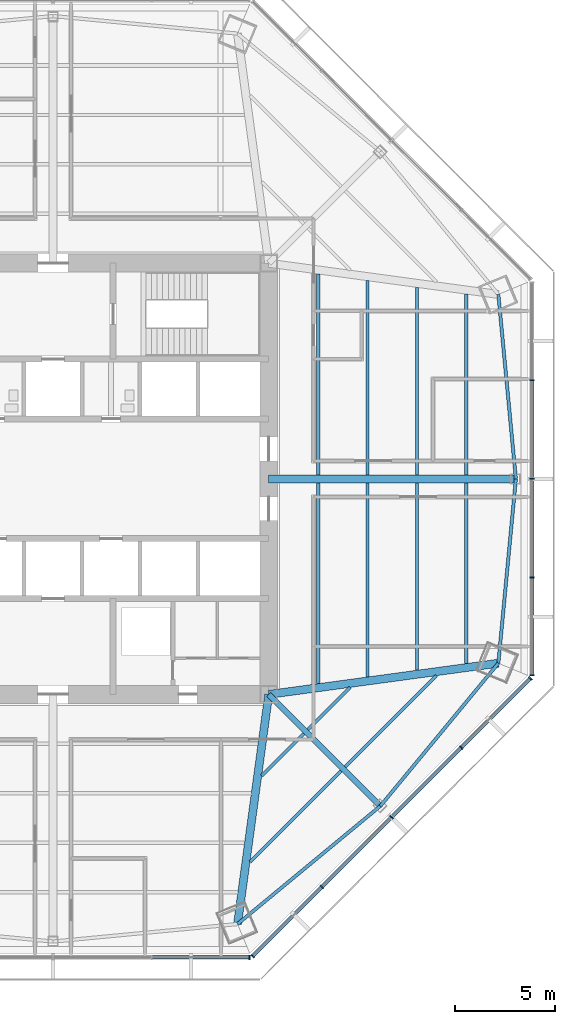
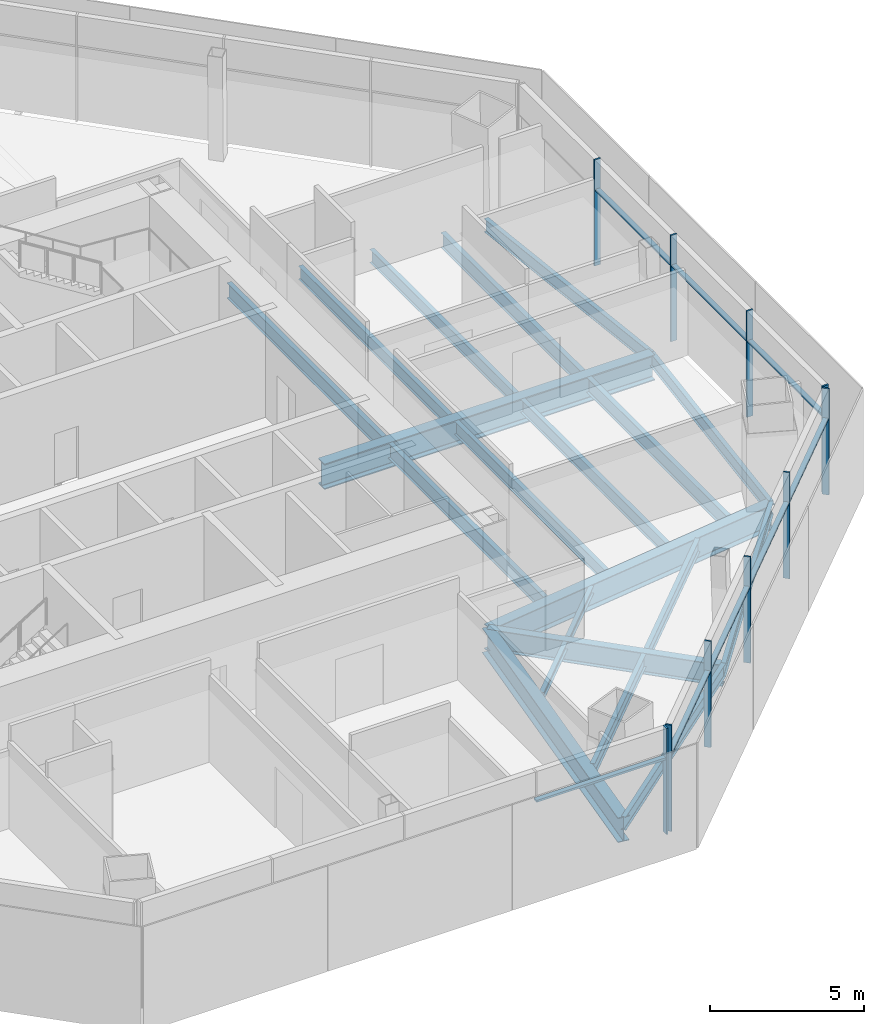
# One storey, part 4 of 14: 20 beams, 18 members, 3 elements without a shape of their own.
"""IFC4 building model written with IfcOpenShell, lengths in metres."""

from ifc_helpers import new_model, si_unit, direction, frame, origin, origin_2d, place, context, subcontext, project, spatial, rectangle, i_section, extrude, source, transform, mapped, material, material_profile, profile_set, type_object, type_shapes, element, aggregate, save


model = new_model("IFC4")

# Units and contexts
model_context = context("Model", 3, precision=1e-05, world=origin(), true_north=direction((0.0, 1.0)))
body_context = subcontext(model_context, "Body", "Model", "MODEL_VIEW")
ifc_project = project(units=[si_unit("LENGTHUNIT", "METRE"), si_unit("AREAUNIT", "SQUARE_METRE"), si_unit("VOLUMEUNIT", "CUBIC_METRE"), si_unit("PLANEANGLEUNIT", "RADIAN"), si_unit("MASSUNIT", "GRAM", prefix="KILO")], contexts=[model_context])

# Site, building, storey
site_placement = place(None, origin())
site = spatial("IfcSite", under=ifc_project, at=site_placement, CompositionType="ELEMENT")
building_placement = place(site_placement, origin())
building = spatial("IfcBuilding", under=site, at=building_placement, Name="Mashrafa Tower", CompositionType="ELEMENT")
storey_placement = place(building_placement, frame((0.0, 0.0, 142.800048828125)))
storey = spatial("IfcBuildingStorey", under=building, at=storey_placement, Name="L32", CompositionType="ELEMENT", Elevation=142.800048828125)

# Beams
ifc_material_1 = material(Name="Steel ASTM A992", Category="steel")
ifc_material_profile_1 = material_profile(ifc_material_1, i_section(OverallWidth=0.164794921875, OverallDepth=0.309814453125, WebThickness=0.005859375, FlangeThickness=0.009765625, FilletRadius=0.007568359375, at=origin_2d()), Name="W12X26")
ifc_profile_set_1 = profile_set([ifc_material_profile_1], Name="Steel ASTM A992")
beam_type_1 = type_object("IfcBeamType", Name="Beam W12X26", PredefinedType="BEAM", material=ifc_profile_set_1)
for number, where, z_axis, x_axis, name in (
    (1, (12.560302734375, -12.766845703125, -0.320068359375), (-0.707106781187, -0.707106781187, 0.0), (0.707106781187, -0.707106781187, 0.0), "Floor beam L32 035"),
    (2, (14.878662109375, -10.448486328125, -0.320068359375), (-0.707106781187, -0.707106781187, 0.0), (0.707106781187, -0.707106781187, 0.0), "Floor beam L32 041"),
):
    element("IfcBeam", number, at=place(storey_placement, frame(where, z_axis=z_axis, x_axis=x_axis)), inside=storey, type_object=beam_type_1, Name=name, PredefinedType="BEAM", context=body_context, shape_type="SweptSolid", body=[
        extrude(i_section(OverallWidth=0.164794921875, OverallDepth=0.309814453125, WebThickness=0.005859375, FlangeThickness=0.009765625, FilletRadius=0.007568359375, at=origin_2d()), origin(), (0.0, 0.0, 1.0), 2.986572265625),
    ])
ifc_material_2 = material(Name="Steel ASTM A992", Category="steel")
ifc_material_profile_2 = material_profile(ifc_material_2, i_section(OverallWidth=0.1650390625, OverallDepth=0.52587890625, WebThickness=0.0087890625, FlangeThickness=0.011474609375, FilletRadius=0.0126953125, at=origin_2d()), Name="W21X44")
ifc_profile_set_2 = profile_set([ifc_material_profile_2], Name="Steel ASTM A992")
beam_type_2 = type_object("IfcBeamType", Name="Beam W21X44", PredefinedType="BEAM", material=ifc_profile_set_2)
beam_1_placement = place(storey_placement, frame((14.423828125, -14.63037109375, -0.427978515625), z_axis=(-0.707106781187, -0.707106781187, 0.0), x_axis=(0.707106781187, -0.707106781187, 0.0)))
element("IfcBeam", 3, at=beam_1_placement, inside=storey, type_object=beam_type_2, Name="Floor beam L32 039", PredefinedType="BEAM", context=body_context, shape_type="SweptSolid", body=[
    extrude(i_section(OverallWidth=0.1650390625, OverallDepth=0.52587890625, WebThickness=0.0087890625, FlangeThickness=0.011474609375, FilletRadius=0.0126953125, at=origin_2d()), origin(), (0.0, 0.0, 1.0), 6.45068359375),
])
for number, where, z_axis, x_axis, name in (
    (4, (15.751953125, -0.20068359375, -0.427978515625), (0.0, -1.0, 0.0), (1.0, 0.0, 0.0), "Floor beam L32 042"),
    (5, (15.751953125, 9.9248046875, -0.427978515625), (0.0, -1.0, 0.0), (1.0, 0.0, 0.0), "Floor beam L32 043"),
):
    element("IfcBeam", number, at=place(storey_placement, frame(where, z_axis=z_axis, x_axis=x_axis)), inside=storey, type_object=beam_type_2, Name=name, PredefinedType="BEAM", context=body_context, shape_type="SweptSolid", body=[
        extrude(i_section(OverallWidth=0.1650390625, OverallDepth=0.52587890625, WebThickness=0.0087890625, FlangeThickness=0.011474609375, FilletRadius=0.0126953125, at=origin_2d()), origin(), (0.0, 0.0, 1.0), 9.72412109375),
    ])
for number, where, z_axis, x_axis, name in (
    (6, (18.227783203125, -0.20068359375, -0.427978515625), (0.0, -1.0, 0.0), (1.0, 0.0, 0.0), "Floor beam L32 044"),
    (7, (18.227783203125, 9.58837890625, -0.427978515625), (0.0, -1.0, 0.0), (1.0, 0.0, 0.0), "Floor beam L32 045"),
):
    element("IfcBeam", number, at=place(storey_placement, frame(where, z_axis=z_axis, x_axis=x_axis)), inside=storey, type_object=beam_type_2, Name=name, PredefinedType="BEAM", context=body_context, shape_type="SweptSolid", body=[
        extrude(i_section(OverallWidth=0.1650390625, OverallDepth=0.52587890625, WebThickness=0.0087890625, FlangeThickness=0.011474609375, FilletRadius=0.0126953125, at=origin_2d()), origin(), (0.0, 0.0, 1.0), 9.3876953125),
    ])
beam_2_placement = place(storey_placement, frame((19.191650390625, -9.862548828125, -0.427978515625), z_axis=(-0.707106781187, -0.707106781187, 0.0), x_axis=(0.707106781187, -0.707106781187, 0.0)))
element("IfcBeam", 8, at=beam_2_placement, inside=storey, type_object=beam_type_2, Name="Floor beam L32 046", PredefinedType="BEAM", context=body_context, shape_type="SweptSolid", body=[
    extrude(i_section(OverallWidth=0.1650390625, OverallDepth=0.52587890625, WebThickness=0.0087890625, FlangeThickness=0.011474609375, FilletRadius=0.0126953125, at=origin_2d()), origin(), (0.0, 0.0, 1.0), 6.45068359375),
])
for number, where, z_axis, x_axis, name in (
    (9, (9.237548828125, -22.301513671875, -0.427978515625), (0.770865133744, 0.636998387422, 0.0), (-0.636998387422, 0.770865133744, 0.0), "Spandrel beam L32 074"),
    (10, (16.390625, -16.390625, -0.427978515625), (0.636998387422, 0.770865133744, 0.0), (-0.770865133744, 0.636998387422, 0.0), "Spandrel beam L32 076"),
    (11, (22.301513671875, -9.237548828125, -0.427978515625), (0.09463898921, 0.995511658255, 0.0), (-0.995511658255, 0.09463898921, 0.0), "Spandrel beam L32 078"),
    (12, (23.1796875, 0.0, -0.427978515625), (-0.09463898921, 0.995511658255, 0.0), (-0.995511658255, -0.09463898921, 0.0), "Spandrel beam L32 080"),
):
    element("IfcBeam", number, at=place(storey_placement, frame(where, z_axis=z_axis, x_axis=x_axis)), inside=storey, type_object=beam_type_2, Name=name, PredefinedType="BEAM", context=body_context, shape_type="SweptSolid", body=[
        extrude(i_section(OverallWidth=0.1650390625, OverallDepth=0.52587890625, WebThickness=0.0087890625, FlangeThickness=0.011474609375, FilletRadius=0.0126953125, at=origin_2d()), origin(), (0.0, 0.0, 1.0), 9.279296875),
    ])
ifc_material_3 = material(Name="Steel ASTM A992", Category="steel")
ifc_material_profile_3 = material_profile(ifc_material_3, i_section(OverallWidth=0.177978515625, OverallDepth=0.599365234375, WebThickness=0.010009765625, FlangeThickness=0.012939453125, FilletRadius=0.012939453125, at=origin_2d()), Name="W24X55")
ifc_profile_set_3 = profile_set([ifc_material_profile_3], Name="Steel ASTM A992")
beam_type_3 = type_object("IfcBeamType", Name="Beam W24X55", PredefinedType="BEAM", material=ifc_profile_set_3)
for number, where, z_axis, x_axis, name in (
    (13, (13.27587890625, -0.20068359375, -0.46484375), (0.0, -1.0, 0.0), (1.0, 0.0, 0.0), "Floor beam L32 037"),
    (14, (13.27587890625, 10.26123046875, -0.46484375), (0.0, -1.0, 0.0), (1.0, 0.0, 0.0), "Floor beam L32 038"),
):
    element("IfcBeam", number, at=place(storey_placement, frame(where, z_axis=z_axis, x_axis=x_axis)), inside=storey, type_object=beam_type_3, Name=name, PredefinedType="BEAM", context=body_context, shape_type="SweptSolid", body=[
        extrude(i_section(OverallWidth=0.177978515625, OverallDepth=0.599365234375, WebThickness=0.010009765625, FlangeThickness=0.012939453125, FilletRadius=0.012939453125, at=origin_2d()), origin(), (0.0, 0.0, 1.0), 10.060546875),
    ])
for number, where, z_axis, x_axis, name in (
    (15, (20.703857421875, -0.20068359375, -0.46484375), (0.0, -1.0, 0.0), (1.0, 0.0, 0.0), "Floor beam L32 047"),
    (16, (20.703857421875, 9.252197265625, -0.46484375), (0.0, -1.0, 0.0), (1.0, 0.0, 0.0), "Floor beam L32 048"),
):
    element("IfcBeam", number, at=place(storey_placement, frame(where, z_axis=z_axis, x_axis=x_axis)), inside=storey, type_object=beam_type_3, Name=name, PredefinedType="BEAM", context=body_context, shape_type="SweptSolid", body=[
        extrude(i_section(OverallWidth=0.177978515625, OverallDepth=0.599365234375, WebThickness=0.010009765625, FlangeThickness=0.012939453125, FilletRadius=0.012939453125, at=origin_2d()), origin(), (0.0, 0.0, 1.0), 9.051513671875),
    ])
ifc_material_4 = material(Name="Steel ASTM A992", Category="steel")
ifc_material_profile_4 = material_profile(ifc_material_4, i_section(OverallWidth=0.2919921875, OverallDepth=0.8408203125, WebThickness=0.0146484375, FlangeThickness=0.021728515625, FilletRadius=0.017333984375, at=origin_2d()), Name="W33X130")
ifc_profile_set_4 = profile_set([ifc_material_profile_4], Name="Steel ASTM A992")
beam_type_4 = type_object("IfcBeamType", Name="Beam W33X130", PredefinedType="BEAM", material=ifc_profile_set_4)
beam_3_placement = place(storey_placement, frame((10.800048828125, -10.800048828125, -0.58544921875), z_axis=(0.707106781187, -0.707106781187, 0.0), x_axis=(0.707106781187, 0.707106781187, 0.0)))
element("IfcBeam", 17, at=beam_3_placement, inside=storey, type_object=beam_type_4, Name="Radial girder L32 059", PredefinedType="BEAM", context=body_context, shape_type="SweptSolid", body=[
    extrude(i_section(OverallWidth=0.2919921875, OverallDepth=0.8408203125, WebThickness=0.0146484375, FlangeThickness=0.021728515625, FilletRadius=0.017333984375, at=origin_2d()), origin(), (0.0, 0.0, 1.0), 7.90625),
])
ifc_material_5 = material(Name="Steel ASTM A992", Category="steel")
ifc_material_profile_5 = material_profile(ifc_material_5, i_section(OverallWidth=0.4013671875, OverallDepth=0.98291015625, WebThickness=0.0166015625, FlangeThickness=0.027099609375, FilletRadius=0.0126953125, at=origin_2d()), Name="W40X199")
ifc_profile_set_5 = profile_set([ifc_material_profile_5], Name="Steel ASTM A992")
beam_type_5 = type_object("IfcBeamType", Name="Beam W40X199", PredefinedType="BEAM", material=ifc_profile_set_5)
for number, where, z_axis, x_axis, name in (
    (18, (10.800048828125, -10.800048828125, -0.656494140625), (-0.134615717096, -0.990897880062, 0.0), (0.990897880062, -0.134615717096, 0.0), "Radial girder L32 058"),
    (19, (10.800048828125, -10.800048828125, -0.656494140625), (0.990897880062, 0.134615717096, 0.0), (-0.134615717096, 0.990897880062, 0.0), "Radial girder L32 060"),
):
    element("IfcBeam", number, at=place(storey_placement, frame(where, z_axis=z_axis, x_axis=x_axis)), inside=storey, type_object=beam_type_5, Name=name, PredefinedType="BEAM", context=body_context, shape_type="SweptSolid", body=[
        extrude(i_section(OverallWidth=0.4013671875, OverallDepth=0.98291015625, WebThickness=0.0166015625, FlangeThickness=0.027099609375, FilletRadius=0.0126953125, at=origin_2d()), origin(), (0.0, 0.0, 1.0), 11.607177734375),
    ])
ifc_material_6 = material(Name="Steel ASTM A992", Category="steel")
ifc_material_profile_6 = material_profile(ifc_material_6, i_section(OverallWidth=0.4013671875, OverallDepth=1.010986328125, WebThickness=0.023681640625, FlangeThickness=0.0419921875, FilletRadius=0.02001953125, at=origin_2d()), Name="W40X297")
ifc_profile_set_6 = profile_set([ifc_material_profile_6], Name="Steel ASTM A992")
beam_type_6 = type_object("IfcBeamType", Name="Beam W40X297", PredefinedType="BEAM", material=ifc_profile_set_6)
beam_4_placement = place(storey_placement, frame((10.800048828125, 0.0, -0.67041015625), z_axis=(1.0, 0.0, 0.0), x_axis=(0.0, 1.0, 0.0)))
element("IfcBeam", 20, at=beam_4_placement, inside=storey, type_object=beam_type_6, Name="Radial girder L32 061", PredefinedType="BEAM", context=body_context, shape_type="SweptSolid", body=[
    extrude(i_section(OverallWidth=0.4013671875, OverallDepth=1.010986328125, WebThickness=0.023681640625, FlangeThickness=0.0419921875, FilletRadius=0.02001953125, at=origin_2d()), origin(), (0.0, 0.0, 1.0), 12.379638671875),
])

# Curtain wall, members
ifc_material_7 = material(Name="Unitised aluminium curtain wall", Category="aluminium")
curtain_wall_type = type_object("IfcCurtainWallType", Name="Office curtain wall, zone 2 CW-B 225 deep", PredefinedType="NOTDEFINED", material=ifc_material_7)
curtain_wall_1_placement = place(storey_placement, origin())
curtain_wall_1 = element("IfcCurtainWall", 21, at=curtain_wall_1_placement, inside=storey, type_object=curtain_wall_type, Name="Office curtain wall, zone 2 L32 east", PredefinedType="NOTDEFINED")
ifc_material_8 = material(Name="Extruded aluminium mullion", Category="aluminium")
ifc_material_profile_7 = material_profile(ifc_material_8, rectangle(XDim=0.22509765625, YDim=0.06494140625, at=origin_2d()), Name="Mullion 65x225")
ifc_profile_set_7 = profile_set([ifc_material_profile_7], Name="Extruded aluminium mullion")
member_type_1 = type_object("IfcMemberType", Name="Mullion CW-B 65 x 225", PredefinedType="MULLION", material=ifc_profile_set_7)
shared_shape_1 = source(origin(), body_context, "Body", "SweptSolid", [
    extrude(rectangle(XDim=0.22509765625, YDim=0.06494140625, at=origin_2d()), origin(), (0.0, 0.0, 1.0), 4.199951171875),
])
type_shapes(member_type_1, [shared_shape_1])
member_1_placement = place(storey_placement, frame((23.97509765625, -9.841796875, 0.0), z_axis=(0.0, 0.0, 1.0), x_axis=(-1.0, 0.0, 0.0)))
member_1 = element("IfcMember", 22, at=member_1_placement, type_object=member_type_1, Name="CW-B mullion 1", PredefinedType="MULLION", context=body_context, shape_type="MappedRepresentation", body=[
    mapped(shared_shape_1, transform((0.0, 0.0, 0.0))),
])
member_2_placement = place(storey_placement, frame((23.97509765625, -4.93701171875, 0.0), z_axis=(0.0, 0.0, 1.0), x_axis=(-1.0, 0.0, 0.0)))
member_2 = element("IfcMember", 23, at=member_2_placement, type_object=member_type_1, Name="CW-B mullion 2", PredefinedType="MULLION", context=body_context, shape_type="MappedRepresentation", body=[
    mapped(shared_shape_1, transform((0.0, 0.0, 0.0))),
])
member_3_placement = place(storey_placement, frame((23.97509765625, 0.0, 0.0), z_axis=(0.0, 0.0, 1.0), x_axis=(-1.0, 0.0, 0.0)))
member_3 = element("IfcMember", 24, at=member_3_placement, type_object=member_type_1, Name="CW-B mullion 3", PredefinedType="MULLION", context=body_context, shape_type="MappedRepresentation", body=[
    mapped(shared_shape_1, transform((0.0, 0.0, 0.0))),
])
member_4_placement = place(storey_placement, frame((23.97509765625, 4.93701171875, 0.0), z_axis=(0.0, 0.0, 1.0), x_axis=(-1.0, 0.0, 0.0)))
member_4 = element("IfcMember", 25, at=member_4_placement, type_object=member_type_1, Name="CW-B mullion 4", PredefinedType="MULLION", context=body_context, shape_type="MappedRepresentation", body=[
    mapped(shared_shape_1, transform((0.0, 0.0, 0.0))),
])

# Curtain wall, member
curtain_wall_2_placement = place(storey_placement, origin())
curtain_wall_2 = element("IfcCurtainWall", 26, at=curtain_wall_2_placement, inside=storey, type_object=curtain_wall_type, Name="Office curtain wall, zone 2 L32 south", PredefinedType="NOTDEFINED")
member_5_placement = place(storey_placement, frame((9.841796875, -23.97509765625, 0.0), z_axis=(0.0, 0.0, 1.0), x_axis=(0.0, 1.0, 0.0)))
member_5 = element("IfcMember", 27, at=member_5_placement, type_object=member_type_1, Name="CW-B mullion 5", PredefinedType="MULLION", context=body_context, shape_type="MappedRepresentation", body=[
    mapped(shared_shape_1, transform((0.0, 0.0, 0.0))),
])

# Curtain wall, members
curtain_wall_3_placement = place(storey_placement, origin())
curtain_wall_3 = element("IfcCurtainWall", 28, at=curtain_wall_3_placement, inside=storey, type_object=curtain_wall_type, Name="Office curtain wall, zone 2 L32 south-east", PredefinedType="NOTDEFINED")
member_6_placement = place(storey_placement, frame((9.993896484375, -23.912109375, 0.0), z_axis=(0.0, 0.0, 1.0), x_axis=(-0.707106781187, 0.707106781187, 0.0)))
member_6 = element("IfcMember", 29, at=member_6_placement, type_object=member_type_1, Name="CW-B mullion 1", PredefinedType="MULLION", context=body_context, shape_type="MappedRepresentation", body=[
    mapped(shared_shape_1, transform((0.0, 0.0, 0.0))),
])
member_7_placement = place(storey_placement, frame((13.4619140625, -20.444091796875, 0.0), z_axis=(0.0, 0.0, 1.0), x_axis=(-0.707106781187, 0.707106781187, 0.0)))
member_7 = element("IfcMember", 30, at=member_7_placement, type_object=member_type_1, Name="CW-B mullion 2", PredefinedType="MULLION", context=body_context, shape_type="MappedRepresentation", body=[
    mapped(shared_shape_1, transform((0.0, 0.0, 0.0))),
])
member_8_placement = place(storey_placement, frame((16.952880859375, -16.952880859375, 0.0), z_axis=(0.0, 0.0, 1.0), x_axis=(-0.707106781187, 0.707106781187, 0.0)))
member_8 = element("IfcMember", 31, at=member_8_placement, type_object=member_type_1, Name="CW-B mullion 3", PredefinedType="MULLION", context=body_context, shape_type="MappedRepresentation", body=[
    mapped(shared_shape_1, transform((0.0, 0.0, 0.0))),
])
member_9_placement = place(storey_placement, frame((20.444091796875, -13.4619140625, 0.0), z_axis=(0.0, 0.0, 1.0), x_axis=(-0.707106781187, 0.707106781187, 0.0)))
member_9 = element("IfcMember", 32, at=member_9_placement, type_object=member_type_1, Name="CW-B mullion 4", PredefinedType="MULLION", context=body_context, shape_type="MappedRepresentation", body=[
    mapped(shared_shape_1, transform((0.0, 0.0, 0.0))),
])
member_10_placement = place(storey_placement, frame((23.912109375, -9.993896484375, 0.0), z_axis=(0.0, 0.0, 1.0), x_axis=(-0.707106781187, 0.707106781187, 0.0)))
member_10 = element("IfcMember", 33, at=member_10_placement, type_object=member_type_1, Name="CW-B mullion 5", PredefinedType="MULLION", context=body_context, shape_type="MappedRepresentation", body=[
    mapped(shared_shape_1, transform((0.0, 0.0, 0.0))),
])

# Member
ifc_material_9 = material(Name="Extruded aluminium transom", Category="aluminium")
ifc_material_profile_8 = material_profile(ifc_material_9, rectangle(XDim=0.179931640625, YDim=0.080078125, at=origin_2d()), Name="Transom 80x180")
ifc_profile_set_8 = profile_set([ifc_material_profile_8], Name="Extruded aluminium transom")
member_type_2 = type_object("IfcMemberType", Name="Transom CW-B 80 x 180", PredefinedType="MULLION", material=ifc_profile_set_8)
shared_shape_2 = source(origin(), body_context, "Body", "SweptSolid", [
    extrude(rectangle(XDim=0.179931640625, YDim=0.080078125, at=origin_2d()), origin(), (0.0, 0.0, 1.0), 4.839599609375),
])
member_11_placement = place(storey_placement, frame((23.97509765625, -9.809326171875, 3.0), z_axis=(0.0, 1.0, 0.0), x_axis=(-1.0, 0.0, 0.0)))
member_11 = element("IfcMember", 34, at=member_11_placement, type_object=member_type_2, Name="CW-B transom 1", PredefinedType="MULLION", context=body_context, shape_type="MappedRepresentation", body=[
    mapped(shared_shape_2, transform((0.0, 0.0, 0.0))),
])

member_12_placement = place(storey_placement, frame((4.9697265625, -23.97509765625, 3.0), z_axis=(1.0, 0.0, 0.0), x_axis=(0.0, 1.0, 0.0)))
member_12 = element("IfcMember", 35, at=member_12_placement, type_object=member_type_2, Name="CW-B transom 4", PredefinedType="MULLION", context=body_context, shape_type="MappedRepresentation", body=[
    mapped(shared_shape_2, transform((0.0, 0.0, 0.0))),
])

aggregate(curtain_wall_2, [member_5, member_12])

member_13_placement = place(storey_placement, frame((10.016845703125, -23.88916015625, 3.0), z_axis=(0.707106781187, 0.707106781187, 0.0), x_axis=(-0.707106781187, 0.707106781187, 0.0)))
member_13 = element("IfcMember", 36, at=member_13_placement, type_object=member_type_2, Name="CW-B transom 1", PredefinedType="MULLION", context=body_context, shape_type="MappedRepresentation", body=[
    mapped(shared_shape_2, transform((0.0, 0.0, 0.0))),
])

member_14_placement = place(storey_placement, frame((20.467041015625, -13.43896484375, 3.0), z_axis=(0.707106781187, 0.707106781187, 0.0), x_axis=(-0.707106781187, 0.707106781187, 0.0)))
member_14 = element("IfcMember", 37, at=member_14_placement, type_object=member_type_2, Name="CW-B transom 4", PredefinedType="MULLION", context=body_context, shape_type="MappedRepresentation", body=[
    mapped(shared_shape_2, transform((0.0, 0.0, 0.0))),
])

shared_shape_3 = source(origin(), body_context, "Body", "SweptSolid", [
    extrude(rectangle(XDim=0.179931640625, YDim=0.080078125, at=origin_2d()), origin(), (0.0, 0.0, 1.0), 4.8720703125),
])
member_15_placement = place(storey_placement, frame((23.97509765625, -4.904541015625, 3.0), z_axis=(0.0, 1.0, 0.0), x_axis=(-1.0, 0.0, 0.0)))
member_15 = element("IfcMember", 38, at=member_15_placement, type_object=member_type_2, Name="CW-B transom 2", PredefinedType="MULLION", context=body_context, shape_type="MappedRepresentation", body=[
    mapped(shared_shape_3, transform((0.0, 0.0, 0.0))),
])

member_16_placement = place(storey_placement, frame((23.97509765625, 0.032470703125, 3.0), z_axis=(0.0, 1.0, 0.0), x_axis=(-1.0, 0.0, 0.0)))
member_16 = element("IfcMember", 39, at=member_16_placement, type_object=member_type_2, Name="CW-B transom 3", PredefinedType="MULLION", context=body_context, shape_type="MappedRepresentation", body=[
    mapped(shared_shape_3, transform((0.0, 0.0, 0.0))),
])

aggregate(curtain_wall_1, [member_1, member_2, member_3, member_4, member_11, member_15, member_16])

shared_shape_4 = source(origin(), body_context, "Body", "SweptSolid", [
    extrude(rectangle(XDim=0.179931640625, YDim=0.080078125, at=origin_2d()), origin(), (0.0, 0.0, 1.0), 4.872314453125),
])
type_shapes(member_type_2, [shared_shape_2, shared_shape_3, shared_shape_4])
member_17_placement = place(storey_placement, frame((13.48486328125, -20.421142578125, 3.0), z_axis=(0.707081726468, 0.707131835017, 0.0), x_axis=(-0.707131835017, 0.707081726468, 0.0)))
member_17 = element("IfcMember", 40, at=member_17_placement, type_object=member_type_2, Name="CW-B transom 2", PredefinedType="MULLION", context=body_context, shape_type="MappedRepresentation", body=[
    mapped(shared_shape_4, transform((0.0, 0.0, 0.0))),
])

member_18_placement = place(storey_placement, frame((16.975830078125, -16.929931640625, 3.0), z_axis=(0.707131835017, 0.707081726468, 0.0), x_axis=(-0.707081726468, 0.707131835017, 0.0)))
member_18 = element("IfcMember", 41, at=member_18_placement, type_object=member_type_2, Name="CW-B transom 3", PredefinedType="MULLION", context=body_context, shape_type="MappedRepresentation", body=[
    mapped(shared_shape_4, transform((0.0, 0.0, 0.0))),
])

aggregate(curtain_wall_3, [member_6, member_7, member_8, member_9, member_10, member_13, member_17, member_18, member_14])

save(model, "model.ifc")
